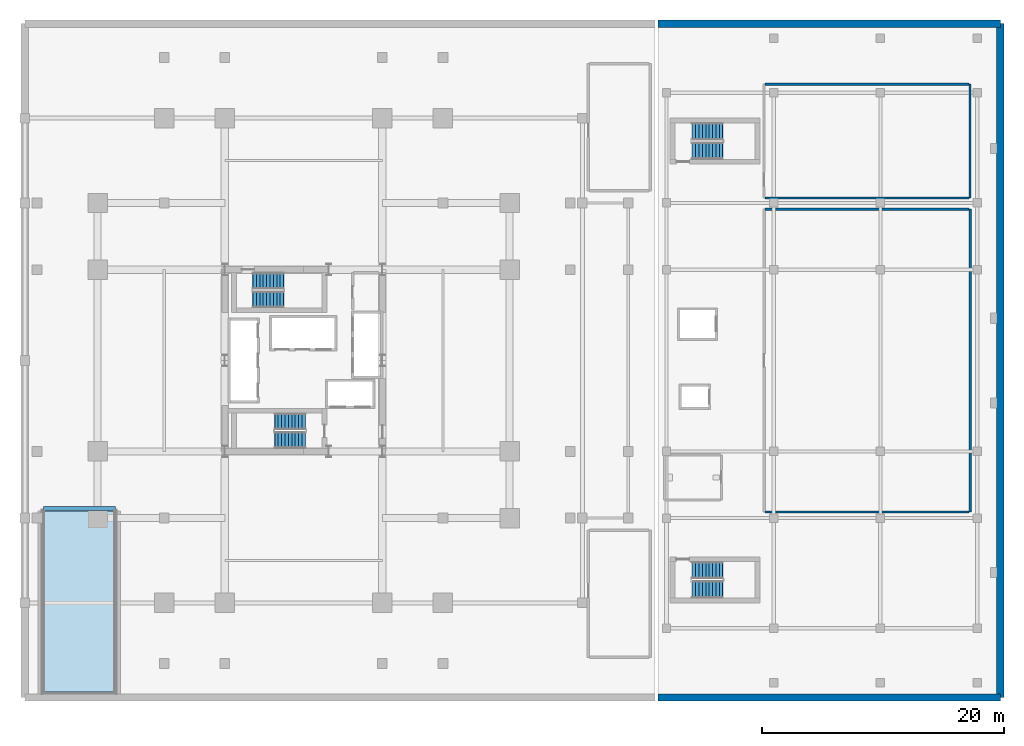
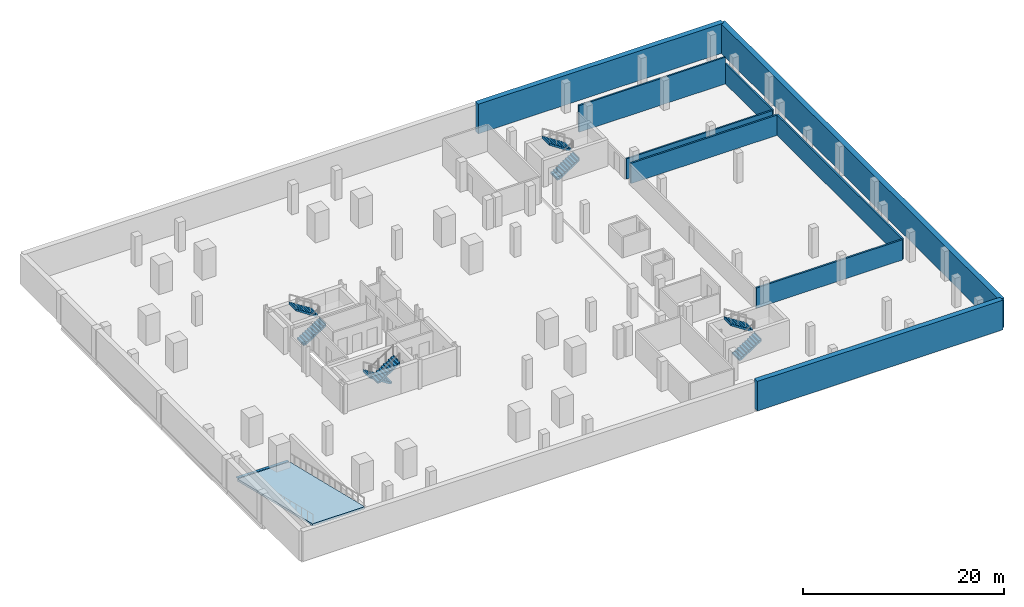
# One storey, part 6 of 11: 9 walls, 8 stair flights, 1 ramp, 1 slab, 4 elements without a shape of their own.
"""IFC4 building model written with IfcOpenShell, lengths in metres."""

from ifc_helpers import new_model, si_unit, direction, frame, frame_2d, origin, origin_2d, place, context, subcontext, project, spatial, polyline, rectangle, outline, extrude, material, layer, layer_set, type_object, element, aggregate, save


model = new_model("IFC4")

# Units and contexts
model_context = context("Model", 3, precision=1e-05, world=origin(), true_north=direction((0.0, 1.0)))
body_context = subcontext(model_context, "Body", "Model", "MODEL_VIEW")
ifc_project = project(units=[si_unit("LENGTHUNIT", "METRE"), si_unit("AREAUNIT", "SQUARE_METRE"), si_unit("VOLUMEUNIT", "CUBIC_METRE"), si_unit("PLANEANGLEUNIT", "RADIAN"), si_unit("MASSUNIT", "GRAM", prefix="KILO")], contexts=[model_context])

# Slab
ifc_material_1 = material(Name="Concrete C45", Category="concrete")
ifc_layer_1 = layer(ifc_material_1, 0.25, Name="Concrete C45")
ifc_layer_set_1 = layer_set([ifc_layer_1], Name="Concrete C45")
slab_type = type_object("IfcSlabType", Name="Vehicle Ramp Structural Slab 250 Concrete C45", PredefinedType="FLOOR", material=ifc_layer_set_1)
site_placement = place(None, origin())
building_placement = place(site_placement, origin())
storey_placement = place(building_placement, frame((0.0, 0.0, -3.60009765625)))
slab_placement = place(storey_placement, frame((-21.5, -27.364990234375, 3.60009765625), z_axis=(0.0, 0.233893636847, 0.972262190277), x_axis=(1.0, 0.0, 0.0)))
slab = element("IfcSlab", 1, at=slab_placement, type_object=slab_type, Name="Vehicle Ramp Structural Slab SL-RMF-V1", PredefinedType="FLOOR", context=body_context, shape_type="SweptSolid", body=[
    extrude(outline(polyline([(0.0, 0.0), (6.0, 0.0), (6.0, 15.392029064053503), (0.0, 15.392029064053503), (0.0, 0.0)])), origin(), (0.0, 0.0, -1.0), 0.25),
])

# Site, building, storey
site = spatial("IfcSite", under=ifc_project, at=site_placement, CompositionType="ELEMENT")
building = spatial("IfcBuilding", under=site, at=building_placement, Name="Barlavira Tower and Art Museum", CompositionType="ELEMENT")
storey = spatial("IfcBuildingStorey", under=building, at=storey_placement, Name="B01", CompositionType="ELEMENT", Elevation=-3.60009765625)

# Walls
ifc_material_2 = material(Name="Autoclaved aerated concrete masonry", Category="masonry")
ifc_layer_2 = layer(ifc_material_2, 0.199951171875, Name="Autoclaved aerated concrete masonry")
ifc_layer_set_2 = layer_set([ifc_layer_2], Name="Autoclaved aerated concrete masonry")
wall_type_1 = type_object("IfcWallType", Name="Fire Compartment and Shaft Wall 200", PredefinedType="SOLIDWALL", material=ifc_layer_set_2)
wall_1_placement = place(storey_placement, frame((55.0, -12.5, 0.0), z_axis=(0.0, 0.0, 1.0), x_axis=(0.0, 1.0, 0.0)))
element("IfcWall", 2, at=wall_1_placement, inside=storey, type_object=wall_type_1, Name="B01 Partition Wall 10", PredefinedType="SOLIDWALL", context=body_context, shape_type="SweptSolid", body=[
    extrude(rectangle(XDim=25.0, YDim=0.199951171875, at=frame_2d((12.5, 0.0))), origin(), (0.0, 0.0, 1.0), 2.467041015625),
])
for number, where, z_axis, x_axis, name in (
    (3, (38.080078125, -12.5, 0.0), (0.0, 0.0, 1.0), (1.0, 0.0, 0.0), "B01 Partition Wall 14"),
    (4, (38.080078125, 12.5, 0.0), (0.0, 0.0, 1.0), (1.0, 0.0, 0.0), "B01 Partition Wall 18"),
):
    element("IfcWall", number, at=place(storey_placement, frame(where, z_axis=z_axis, x_axis=x_axis)), inside=storey, type_object=wall_type_1, Name=name, PredefinedType="SOLIDWALL", context=body_context, shape_type="SweptSolid", body=[
        extrude(rectangle(XDim=16.83984375, YDim=0.199951171875, at=frame_2d((8.419921875, 0.0))), origin(), (0.0, 0.0, 1.0), 2.467041015625),
    ])
ifc_material_3 = material(Name="Gypsum acoustic stud partition", Category="gypsum")
ifc_layer_3 = layer(ifc_material_3, 0.179931640625, Name="Gypsum acoustic stud partition")
ifc_layer_set_3 = layer_set([ifc_layer_3], Name="Gypsum acoustic stud partition")
wall_type_2 = type_object("IfcWallType", Name="Inter-Tenancy Party Partition Wall 180", PredefinedType="PARTITIONING", material=ifc_layer_set_3)
wall_2_placement = place(storey_placement, frame((55.0, 13.39990234375, 0.0), z_axis=(0.0, 0.0, 1.0), x_axis=(0.0, 1.0, 0.0)))
element("IfcWall", 5, at=wall_2_placement, inside=storey, type_object=wall_type_2, Name="B01 Partition Wall 11", PredefinedType="PARTITIONING", context=body_context, shape_type="SweptSolid", body=[
    extrude(rectangle(XDim=9.400146484375, YDim=0.179931640625, at=frame_2d((4.7001953125, 0.0))), origin(), (0.0, 0.0, 1.0), 2.467041015625),
])
wall_3_placement = place(storey_placement, frame((38.080078125, 13.39990234375, 0.0), z_axis=(0.0, 0.0, 1.0), x_axis=(1.0, 0.0, 0.0)))
element("IfcWall", 6, at=wall_3_placement, inside=storey, type_object=wall_type_2, Name="B01 Partition Wall 19", PredefinedType="PARTITIONING", context=body_context, shape_type="SweptSolid", body=[
    extrude(rectangle(XDim=16.83984375, YDim=0.179931640625, at=frame_2d((8.419921875, 0.0))), origin(), (0.0, 0.0, 1.0), 2.467041015625),
])
wall_4_placement = place(storey_placement, frame((38.080078125, 22.800048828125, 0.0), z_axis=(0.0, 0.0, 1.0), x_axis=(1.0, 0.0, 0.0)))
element("IfcWall", 7, at=wall_4_placement, inside=storey, type_object=wall_type_2, Name="B01 Partition Wall 21", PredefinedType="PARTITIONING", context=body_context, shape_type="SweptSolid", body=[
    extrude(rectangle(XDim=16.83984375, YDim=0.179931640625, at=frame_2d((8.419921875, 0.0))), origin(), (0.0, 0.0, 1.0), 3.25),
])
ifc_material_4 = material(Name="Concrete C50", Category="concrete")
ifc_layer_4 = layer(ifc_material_4, 0.60009765625, Name="Concrete C50")
ifc_layer_set_4 = layer_set([ifc_layer_4], Name="Concrete C50")
wall_type_3 = type_object("IfcWallType", Name="Perimeter Basement Retaining Wall 600 Concrete C50", PredefinedType="USERDEFINED", material=ifc_layer_set_4)
wall_5_placement = place(storey_placement, frame((29.25, -27.800048828125, 0.0), z_axis=(0.0, 0.0, 1.0), x_axis=(1.0, 0.0, 0.0)))
element("IfcWall", 8, at=wall_5_placement, inside=storey, type_object=wall_type_3, Name="B01 Retaining Wall SE", ObjectType="RETAININGWALL", PredefinedType="USERDEFINED", context=body_context, shape_type="SweptSolid", body=[
    extrude(rectangle(XDim=28.25, YDim=0.60009765625, at=frame_2d((14.125, 0.0))), origin(), (0.0, 0.0, 1.0), 3.60009765625),
])
wall_6_placement = place(storey_placement, frame((57.5, -27.800048828125, 0.0), z_axis=(0.0, 0.0, 1.0), x_axis=(0.0, 1.0, 0.0)))
element("IfcWall", 9, at=wall_6_placement, inside=storey, type_object=wall_type_3, Name="B01 Retaining Wall E", ObjectType="RETAININGWALL", PredefinedType="USERDEFINED", context=body_context, shape_type="SweptSolid", body=[
    extrude(rectangle(XDim=55.60009765625, YDim=0.60009765625, at=frame_2d((27.800048828125, 0.0))), origin(), (0.0, 0.0, 1.0), 3.60009765625),
])
wall_7_placement = place(storey_placement, frame((57.5, 27.800048828125, 0.0), z_axis=(0.0, 0.0, 1.0), x_axis=(-1.0, 0.0, 0.0)))
element("IfcWall", 10, at=wall_7_placement, inside=storey, type_object=wall_type_3, Name="B01 Retaining Wall NE", ObjectType="RETAININGWALL", PredefinedType="USERDEFINED", context=body_context, shape_type="SweptSolid", body=[
    extrude(rectangle(XDim=28.25, YDim=0.60009765625, at=frame_2d((14.125, 0.0))), origin(), (0.0, 0.0, 1.0), 3.60009765625),
])

# Stair, stair flights
stair_type_1 = type_object("IfcStairType", Name="Museum North Dog-Leg Exit Stair Assembly Concrete C45", PredefinedType="TWO_QUARTER_TURN_STAIR", material=ifc_material_1)
stair_1_placement = place(storey_placement, origin())
stair_1 = element("IfcStair", 11, at=stair_1_placement, inside=storey, type_object=stair_type_1, Name="B01 Museum North Exit Stair ST-M2", PredefinedType="TWO_QUARTER_TURN_STAIR")
ifc_material_5 = material(Name="Precast concrete C45", Category="concrete")
stair_flight_type_1 = type_object("IfcStairFlightType", Name="Museum North Dog-Leg Exit Stair Precast Flight 1400 Concrete C45", PredefinedType="STRAIGHT", material=ifc_material_5)
stair_flight_1_placement = place(storey_placement, frame((32.070068359375, 17.300048828125, 0.0), z_axis=(0.0, 0.0, 1.0), x_axis=(1.0, 0.0, 0.0)))
stair_flight_1 = element("IfcStairFlight", 12, at=stair_flight_1_placement, type_object=stair_flight_type_1, Name="ST-M2 flight 1", NumberOfRisers=10, NumberOfTreads=9, PredefinedType="STRAIGHT", RiserHeight=0.18, TreadLength=0.28, context=body_context, shape_type="SweptSolid", body=[
    extrude(outline(polyline([(-0.02490234375, 0.0), (0.0, 0.0), (0.0, 0.179931640625), (0.280029296875, 0.179931640625), (0.280029296875, 0.360107421875), (0.56005859375, 0.360107421875), (0.56005859375, 0.5400390625), (0.840087890625, 0.5400390625), (0.840087890625, 0.719970703125), (1.1201171875, 0.719970703125), (1.1201171875, 0.89990234375), (1.39990234375, 0.89990234375), (1.39990234375, 1.080078125), (1.679931640625, 1.080078125), (1.679931640625, 1.260009765625), (1.9599609375, 1.260009765625), (1.9599609375, 1.43994140625), (2.239990234375, 1.43994140625), (2.239990234375, 1.6201171875), (2.52001953125, 1.6201171875), (2.52001953125, 1.800048828125), (2.544921875, 1.800048828125), (2.544921875, 1.44189453125), (2.52001953125, 1.44189453125), (0.277099609375, -0.02490234375), (-0.02490234375, -0.02490234375), (-0.02490234375, 0.0)])), frame((0.0, 0.699951171875, 0.0), z_axis=(0.0, -1.0, 0.0), x_axis=(1.0, 0.0, 0.0)), (0.0, 0.0, 1.0), 1.39990234375),
])
stair_flight_2_placement = place(storey_placement, frame((34.590087890625, 18.89990234375, 1.800048828125), z_axis=(0.0, 0.0, 1.0), x_axis=(-1.0, 0.0, 0.0)))
stair_flight_2 = element("IfcStairFlight", 13, at=stair_flight_2_placement, type_object=stair_flight_type_1, Name="ST-M2 flight 2", NumberOfRisers=10, NumberOfTreads=9, PredefinedType="STRAIGHT", RiserHeight=0.18, TreadLength=0.28, context=body_context, shape_type="SweptSolid", body=[
    extrude(outline(polyline([(-0.02490234375, 0.0), (0.0, 0.0), (0.0, 0.179931640625), (0.280029296875, 0.179931640625), (0.280029296875, 0.360107421875), (0.56005859375, 0.360107421875), (0.56005859375, 0.5400390625), (0.840087890625, 0.5400390625), (0.840087890625, 0.719970703125), (1.1201171875, 0.719970703125), (1.1201171875, 0.89990234375), (1.39990234375, 0.89990234375), (1.39990234375, 1.080078125), (1.679931640625, 1.080078125), (1.679931640625, 1.260009765625), (1.9599609375, 1.260009765625), (1.9599609375, 1.43994140625), (2.239990234375, 1.43994140625), (2.239990234375, 1.6201171875), (2.52001953125, 1.6201171875), (2.52001953125, 1.800048828125), (2.544921875, 1.800048828125), (2.544921875, 1.44189453125), (2.52001953125, 1.44189453125), (0.277099609375, -0.02490234375), (-0.02490234375, -0.02490234375), (-0.02490234375, 0.0)])), frame((0.0, 0.699951171875, 0.0), z_axis=(0.0, -1.0, 0.0), x_axis=(1.0, 0.0, 0.0)), (0.0, 0.0, 1.0), 1.39990234375),
])
aggregate(stair_1, [stair_flight_1, stair_flight_2])

stair_type_2 = type_object("IfcStairType", Name="Museum South Dog-Leg Exit Stair Assembly Concrete C45", PredefinedType="TWO_QUARTER_TURN_STAIR", material=ifc_material_1)
stair_2_placement = place(storey_placement, origin())
stair_2 = element("IfcStair", 14, at=stair_2_placement, inside=storey, type_object=stair_type_2, Name="B01 Museum South Exit Stair ST-M1", PredefinedType="TWO_QUARTER_TURN_STAIR")
stair_flight_type_2 = type_object("IfcStairFlightType", Name="Museum South Dog-Leg Exit Stair Precast Flight 1400 Concrete C45", PredefinedType="STRAIGHT", material=ifc_material_5)
stair_flight_3_placement = place(storey_placement, frame((32.070068359375, -18.89990234375, 0.0), z_axis=(0.0, 0.0, 1.0), x_axis=(1.0, 0.0, 0.0)))
stair_flight_3 = element("IfcStairFlight", 15, at=stair_flight_3_placement, type_object=stair_flight_type_2, Name="ST-M1 flight 1", NumberOfRisers=10, NumberOfTreads=9, PredefinedType="STRAIGHT", RiserHeight=0.18, TreadLength=0.28, context=body_context, shape_type="SweptSolid", body=[
    extrude(outline(polyline([(-0.02490234375, 0.0), (0.0, 0.0), (0.0, 0.179931640625), (0.280029296875, 0.179931640625), (0.280029296875, 0.360107421875), (0.56005859375, 0.360107421875), (0.56005859375, 0.5400390625), (0.840087890625, 0.5400390625), (0.840087890625, 0.719970703125), (1.1201171875, 0.719970703125), (1.1201171875, 0.89990234375), (1.39990234375, 0.89990234375), (1.39990234375, 1.080078125), (1.679931640625, 1.080078125), (1.679931640625, 1.260009765625), (1.9599609375, 1.260009765625), (1.9599609375, 1.43994140625), (2.239990234375, 1.43994140625), (2.239990234375, 1.6201171875), (2.52001953125, 1.6201171875), (2.52001953125, 1.800048828125), (2.544921875, 1.800048828125), (2.544921875, 1.44189453125), (2.52001953125, 1.44189453125), (0.277099609375, -0.02490234375), (-0.02490234375, -0.02490234375), (-0.02490234375, 0.0)])), frame((0.0, 0.699951171875, 0.0), z_axis=(0.0, -1.0, 0.0), x_axis=(1.0, 0.0, 0.0)), (0.0, 0.0, 1.0), 1.39990234375),
])
stair_flight_4_placement = place(storey_placement, frame((34.590087890625, -17.300048828125, 1.800048828125), z_axis=(0.0, 0.0, 1.0), x_axis=(-1.0, 0.0, 0.0)))
stair_flight_4 = element("IfcStairFlight", 16, at=stair_flight_4_placement, type_object=stair_flight_type_2, Name="ST-M1 flight 2", NumberOfRisers=10, NumberOfTreads=9, PredefinedType="STRAIGHT", RiserHeight=0.18, TreadLength=0.28, context=body_context, shape_type="SweptSolid", body=[
    extrude(outline(polyline([(-0.02490234375, 0.0), (0.0, 0.0), (0.0, 0.179931640625), (0.280029296875, 0.179931640625), (0.280029296875, 0.360107421875), (0.56005859375, 0.360107421875), (0.56005859375, 0.5400390625), (0.840087890625, 0.5400390625), (0.840087890625, 0.719970703125), (1.1201171875, 0.719970703125), (1.1201171875, 0.89990234375), (1.39990234375, 0.89990234375), (1.39990234375, 1.080078125), (1.679931640625, 1.080078125), (1.679931640625, 1.260009765625), (1.9599609375, 1.260009765625), (1.9599609375, 1.43994140625), (2.239990234375, 1.43994140625), (2.239990234375, 1.6201171875), (2.52001953125, 1.6201171875), (2.52001953125, 1.800048828125), (2.544921875, 1.800048828125), (2.544921875, 1.44189453125), (2.52001953125, 1.44189453125), (0.277099609375, -0.02490234375), (-0.02490234375, -0.02490234375), (-0.02490234375, 0.0)])), frame((0.0, 0.699951171875, 0.0), z_axis=(0.0, -1.0, 0.0), x_axis=(1.0, 0.0, 0.0)), (0.0, 0.0, 1.0), 1.39990234375),
])
aggregate(stair_2, [stair_flight_3, stair_flight_4])

stair_type_3 = type_object("IfcStairType", Name="Tower North Dog-Leg Exit Stair Assembly Concrete C45", PredefinedType="TWO_QUARTER_TURN_STAIR", material=ifc_material_1)
stair_3_placement = place(storey_placement, origin())
stair_3 = element("IfcStair", 17, at=stair_3_placement, inside=storey, type_object=stair_type_3, Name="B01 Tower North Exit Stair ST-T2", PredefinedType="TWO_QUARTER_TURN_STAIR")
stair_flight_type_3 = type_object("IfcStairFlightType", Name="Tower North Dog-Leg Exit Stair Precast Flight 1350 Concrete C45", PredefinedType="STRAIGHT", material=ifc_material_5)
stair_flight_5_placement = place(storey_placement, frame((-4.169921875, 5.02490234375, 0.0), z_axis=(0.0, 0.0, 1.0), x_axis=(1.0, 0.0, 0.0)))
stair_flight_5 = element("IfcStairFlight", 18, at=stair_flight_5_placement, type_object=stair_flight_type_3, Name="ST-T2 flight 1", NumberOfRisers=10, NumberOfTreads=9, PredefinedType="STRAIGHT", RiserHeight=0.18, TreadLength=0.28, context=body_context, shape_type="SweptSolid", body=[
    extrude(outline(polyline([(-0.02490234375, 0.0), (0.0, 0.0), (0.0, 0.179931640625), (0.280029296875, 0.179931640625), (0.280029296875, 0.360107421875), (0.56005859375, 0.360107421875), (0.56005859375, 0.5400390625), (0.840087890625, 0.5400390625), (0.840087890625, 0.719970703125), (1.1201171875, 0.719970703125), (1.1201171875, 0.89990234375), (1.39990234375, 0.89990234375), (1.39990234375, 1.080078125), (1.679931640625, 1.080078125), (1.679931640625, 1.260009765625), (1.9599609375, 1.260009765625), (1.9599609375, 1.43994140625), (2.239990234375, 1.43994140625), (2.239990234375, 1.6201171875), (2.52001953125, 1.6201171875), (2.52001953125, 1.800048828125), (2.544921875, 1.800048828125), (2.544921875, 1.44189453125), (2.52001953125, 1.44189453125), (0.277099609375, -0.02490234375), (-0.02490234375, -0.02490234375), (-0.02490234375, 0.0)])), frame((0.0, 0.675048828125, 0.0), z_axis=(0.0, -1.0, 0.0), x_axis=(1.0, 0.0, 0.0)), (0.0, 0.0, 1.0), 1.35009765625),
])
stair_flight_6_placement = place(storey_placement, frame((-1.64990234375, 6.574951171875, 1.800048828125), z_axis=(0.0, 0.0, 1.0), x_axis=(-1.0, 0.0, 0.0)))
stair_flight_6 = element("IfcStairFlight", 19, at=stair_flight_6_placement, type_object=stair_flight_type_3, Name="ST-T2 flight 2", NumberOfRisers=10, NumberOfTreads=9, PredefinedType="STRAIGHT", RiserHeight=0.18, TreadLength=0.28, context=body_context, shape_type="SweptSolid", body=[
    extrude(outline(polyline([(-0.02490234375, 0.0), (0.0, 0.0), (0.0, 0.179931640625), (0.280029296875, 0.179931640625), (0.280029296875, 0.360107421875), (0.56005859375, 0.360107421875), (0.56005859375, 0.5400390625), (0.840087890625, 0.5400390625), (0.840087890625, 0.719970703125), (1.1201171875, 0.719970703125), (1.1201171875, 0.89990234375), (1.39990234375, 0.89990234375), (1.39990234375, 1.080078125), (1.679931640625, 1.080078125), (1.679931640625, 1.260009765625), (1.9599609375, 1.260009765625), (1.9599609375, 1.43994140625), (2.239990234375, 1.43994140625), (2.239990234375, 1.6201171875), (2.52001953125, 1.6201171875), (2.52001953125, 1.800048828125), (2.544921875, 1.800048828125), (2.544921875, 1.44189453125), (2.52001953125, 1.44189453125), (0.277099609375, -0.02490234375), (-0.02490234375, -0.02490234375), (-0.02490234375, 0.0)])), frame((0.0, 0.675048828125, 0.0), z_axis=(0.0, -1.0, 0.0), x_axis=(1.0, 0.0, 0.0)), (0.0, 0.0, 1.0), 1.35009765625),
])
aggregate(stair_3, [stair_flight_5, stair_flight_6])

stair_type_4 = type_object("IfcStairType", Name="Tower South Dog-Leg Exit Stair Assembly Concrete C45", PredefinedType="TWO_QUARTER_TURN_STAIR", material=ifc_material_1)
stair_4_placement = place(storey_placement, origin())
stair_4 = element("IfcStair", 20, at=stair_4_placement, inside=storey, type_object=stair_type_4, Name="B01 Tower South Exit Stair ST-T1", PredefinedType="TWO_QUARTER_TURN_STAIR")
stair_flight_type_4 = type_object("IfcStairFlightType", Name="Tower South Dog-Leg Exit Stair Precast Flight 1350 Concrete C45", PredefinedType="STRAIGHT", material=ifc_material_5)
stair_flight_7_placement = place(storey_placement, frame((0.14990234375, -5.02490234375, 0.0), z_axis=(0.0, 0.0, 1.0), x_axis=(-1.0, 0.0, 0.0)))
stair_flight_7 = element("IfcStairFlight", 21, at=stair_flight_7_placement, type_object=stair_flight_type_4, Name="ST-T1 flight 1", NumberOfRisers=10, NumberOfTreads=9, PredefinedType="STRAIGHT", RiserHeight=0.18, TreadLength=0.28, context=body_context, shape_type="SweptSolid", body=[
    extrude(outline(polyline([(-0.02490234375, 0.0), (0.0, 0.0), (0.0, 0.179931640625), (0.280029296875, 0.179931640625), (0.280029296875, 0.360107421875), (0.56005859375, 0.360107421875), (0.56005859375, 0.5400390625), (0.840087890625, 0.5400390625), (0.840087890625, 0.719970703125), (1.1201171875, 0.719970703125), (1.1201171875, 0.89990234375), (1.39990234375, 0.89990234375), (1.39990234375, 1.080078125), (1.679931640625, 1.080078125), (1.679931640625, 1.260009765625), (1.9599609375, 1.260009765625), (1.9599609375, 1.43994140625), (2.239990234375, 1.43994140625), (2.239990234375, 1.6201171875), (2.52001953125, 1.6201171875), (2.52001953125, 1.800048828125), (2.544921875, 1.800048828125), (2.544921875, 1.44189453125), (2.52001953125, 1.44189453125), (0.277099609375, -0.02490234375), (-0.02490234375, -0.02490234375), (-0.02490234375, 0.0)])), frame((0.0, 0.675048828125, 0.0), z_axis=(0.0, -1.0, 0.0), x_axis=(1.0, 0.0, 0.0)), (0.0, 0.0, 1.0), 1.35009765625),
])
stair_flight_8_placement = place(storey_placement, frame((-2.3701171875, -6.574951171875, 1.800048828125), z_axis=(0.0, 0.0, 1.0), x_axis=(1.0, 0.0, 0.0)))
stair_flight_8 = element("IfcStairFlight", 22, at=stair_flight_8_placement, type_object=stair_flight_type_4, Name="ST-T1 flight 2", NumberOfRisers=10, NumberOfTreads=9, PredefinedType="STRAIGHT", RiserHeight=0.18, TreadLength=0.28, context=body_context, shape_type="SweptSolid", body=[
    extrude(outline(polyline([(-0.02490234375, 0.0), (0.0, 0.0), (0.0, 0.179931640625), (0.280029296875, 0.179931640625), (0.280029296875, 0.360107421875), (0.56005859375, 0.360107421875), (0.56005859375, 0.5400390625), (0.840087890625, 0.5400390625), (0.840087890625, 0.719970703125), (1.1201171875, 0.719970703125), (1.1201171875, 0.89990234375), (1.39990234375, 0.89990234375), (1.39990234375, 1.080078125), (1.679931640625, 1.080078125), (1.679931640625, 1.260009765625), (1.9599609375, 1.260009765625), (1.9599609375, 1.43994140625), (2.239990234375, 1.43994140625), (2.239990234375, 1.6201171875), (2.52001953125, 1.6201171875), (2.52001953125, 1.800048828125), (2.544921875, 1.800048828125), (2.544921875, 1.44189453125), (2.52001953125, 1.44189453125), (0.277099609375, -0.02490234375), (-0.02490234375, -0.02490234375), (-0.02490234375, 0.0)])), frame((0.0, 0.675048828125, 0.0), z_axis=(0.0, -1.0, 0.0), x_axis=(1.0, 0.0, 0.0)), (0.0, 0.0, 1.0), 1.35009765625),
])
aggregate(stair_4, [stair_flight_7, stair_flight_8])

# Ramp
ramp_type = type_object("IfcRampType", Name="Basement Two-Way Vehicle Ramp Assembly Concrete C45", PredefinedType="STRAIGHT_RUN_RAMP", material=ifc_material_1)
ramp_placement = place(storey_placement, frame((-18.5, -12.219970703125, 0.0), z_axis=(0.0, 0.0, 1.0), x_axis=(1.0, 0.0, 0.0)))
ramp = element("IfcRamp", 23, at=ramp_placement, inside=storey, type_object=ramp_type, Name="B01 Two-Way Car-Park Vehicle Ramp", PredefinedType="STRAIGHT_RUN_RAMP", context=body_context, shape_type="SweptSolid", body=[
    extrude(rectangle(XDim=5.9599609375, YDim=0.320068359375, at=origin_2d()), origin(), (0.0, 0.0, 1.0), 0.0400390625),
])

aggregate(ramp, [slab])

save(model, "model.ifc")
